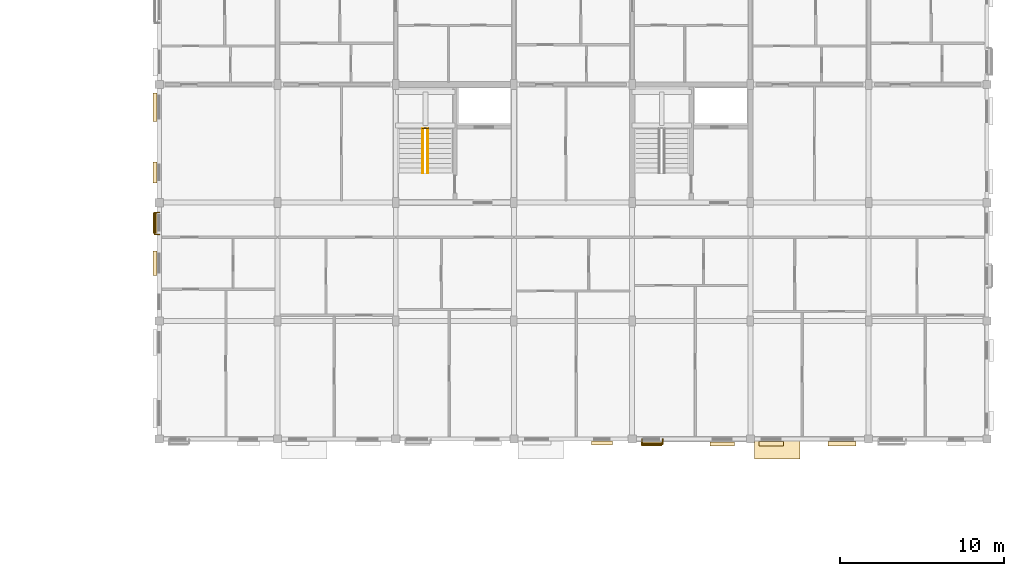
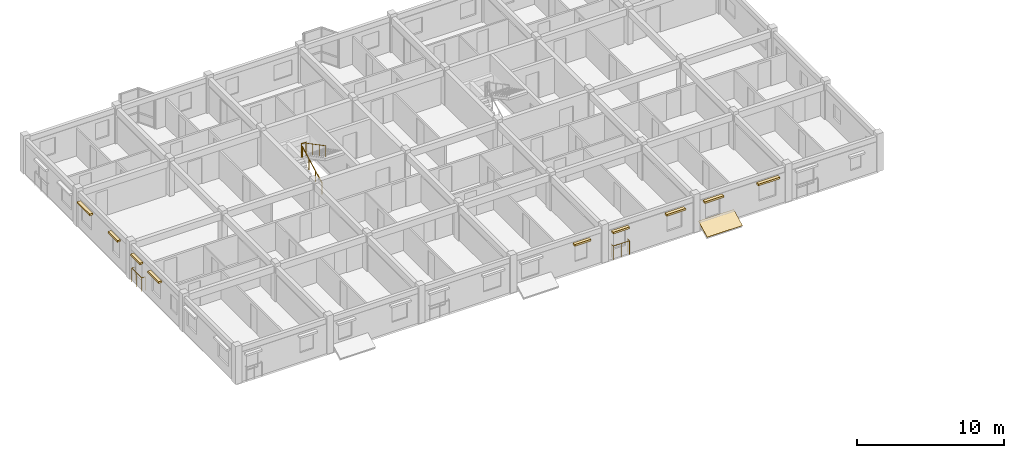
# One storey, part 36 of 38: 10 coverings, 5 railings.
"""IFC4 building model written with IfcOpenShell, lengths in metres."""

from ifc_helpers import new_model, si_unit, direction, frame, origin, origin_2d, place, context, subcontext, project, spatial, polyline, rectangle, circle, outline, extrude, material, layer, layer_set, type_object, element, save


model = new_model("IFC4")

# Units and contexts
model_context = context("Model", 3, precision=1e-05, world=origin(), true_north=direction((0.0, 1.0)))
body_context = subcontext(model_context, "Body", "Model", "MODEL_VIEW")
ifc_project = project(units=[si_unit("LENGTHUNIT", "METRE"), si_unit("AREAUNIT", "SQUARE_METRE"), si_unit("VOLUMEUNIT", "CUBIC_METRE"), si_unit("PLANEANGLEUNIT", "RADIAN"), si_unit("MASSUNIT", "GRAM", prefix="KILO"), si_unit("THERMODYNAMICTEMPERATUREUNIT", "KELVIN"), si_unit("POWERUNIT", "WATT")], contexts=[model_context])

# Site, building, storey
site_placement = place(None, origin())
site = spatial("IfcSite", under=ifc_project, at=site_placement, CompositionType="ELEMENT")
building_placement = place(site_placement, origin())
building = spatial("IfcBuilding", under=site, at=building_placement, Name="Tavuni Mirador Residences", CompositionType="ELEMENT")
storey_placement = place(building_placement, frame((0.0, 0.0, 32.85009765625)))
storey = spatial("IfcBuildingStorey", under=building, at=storey_placement, Name="L10", CompositionType="ELEMENT", Elevation=32.85009765625)

# Coverings
ifc_material_1 = material(Name="Natural coral limestone", Category="masonry")
ifc_layer_1 = layer(ifc_material_1, 0.054931640625, Name="Natural coral limestone", Category="masonry")
ifc_layer_set_1 = layer_set([ifc_layer_1], Name="Natural coral limestone")
covering_type_1 = type_object("IfcCoveringType", Name="CVT-CLAD-CORAL", PredefinedType="CLADDING", material=ifc_layer_set_1)
for number, where, z_axis, x_axis, name in (
    (1, (37.77001953125, 143.755615234375, 2.244873046875), (0.0, 0.0, 1.0), (1.0, 0.0, 0.0), "HOOD-0763"),
    (2, (40.77001953125, 143.712890625, 2.244873046875), (0.0, 0.0, 1.0), (1.0, 0.0, 0.0), "HOOD-0764"),
):
    element("IfcCovering", number, at=place(storey_placement, frame(where, z_axis=z_axis, x_axis=x_axis)), inside=storey, type_object=covering_type_1, Name=name, PredefinedType="CLADDING", context=body_context, shape_type="SweptSolid", body=[
        extrude(rectangle(XDim=1.280029296875, YDim=0.25, at=origin_2d()), origin(), (0.0, 0.0, 1.0), 0.14990234375),
    ])
for number, where, z_axis, x_axis, name in (
    (3, (45.074951171875, 143.712890625, 2.244873046875), (0.0, 0.0, 1.0), (1.0, 0.0, 0.0), "HOOD-0765"),
    (4, (48.074951171875, 143.720458984375, 2.244873046875), (0.0, 0.0, 1.0), (1.0, 0.0, 0.0), "HOOD-0766"),
):
    element("IfcCovering", number, at=place(storey_placement, frame(where, z_axis=z_axis, x_axis=x_axis)), inside=storey, type_object=covering_type_1, Name=name, PredefinedType="CLADDING", context=body_context, shape_type="SweptSolid", body=[
        extrude(rectangle(XDim=1.489990234375, YDim=0.25, at=origin_2d()), origin(), (0.0, 0.0, 1.0), 0.14990234375),
    ])
covering_1_placement = place(storey_placement, frame((52.375, 143.720458984375, 2.244873046875), z_axis=(0.0, 0.0, 1.0), x_axis=(1.0, 0.0, 0.0)))
element("IfcCovering", 5, at=covering_1_placement, inside=storey, type_object=covering_type_1, Name="HOOD-0767", PredefinedType="CLADDING", context=body_context, shape_type="SweptSolid", body=[
    extrude(rectangle(XDim=1.68994140625, YDim=0.25, at=origin_2d()), origin(), (0.0, 0.0, 1.0), 0.14990234375),
])
covering_2_placement = place(storey_placement, frame((10.550537109375, 164.2099609375, 2.1650390625), z_axis=(0.0, 0.0, 1.0), x_axis=(0.0, -1.0, 0.0)))
element("IfcCovering", 6, at=covering_2_placement, inside=storey, type_object=covering_type_1, Name="HOOD-0792", PredefinedType="CLADDING", context=body_context, shape_type="SweptSolid", body=[
    extrude(rectangle(XDim=1.719970703125, YDim=0.25, at=origin_2d()), origin(), (0.0, 0.0, 1.0), 0.14990234375),
])
for number, where, z_axis, x_axis, name in (
    (7, (10.550537109375, 160.22998046875, 2.244873046875), (0.0, 0.0, 1.0), (0.0, -1.0, 0.0), "HOOD-0793"),
    (8, (10.54052734375, 157.155029296875, 2.244873046875), (0.0, 0.0, 1.0), (0.0, -1.0, 0.0), "HOOD-0794"),
):
    element("IfcCovering", number, at=place(storey_placement, frame(where, z_axis=z_axis, x_axis=x_axis)), inside=storey, type_object=covering_type_1, Name=name, PredefinedType="CLADDING", context=body_context, shape_type="SweptSolid", body=[
        extrude(rectangle(XDim=1.280029296875, YDim=0.25, at=origin_2d()), origin(), (0.0, 0.0, 1.0), 0.14990234375),
    ])
covering_3_placement = place(storey_placement, frame((10.54052734375, 154.7099609375, 2.244873046875), z_axis=(0.0, 0.0, 1.0), x_axis=(0.0, -1.0, 0.0)))
element("IfcCovering", 9, at=covering_3_placement, inside=storey, type_object=covering_type_1, Name="HOOD-0795", PredefinedType="CLADDING", context=body_context, shape_type="SweptSolid", body=[
    extrude(rectangle(XDim=1.489990234375, YDim=0.25, at=origin_2d()), origin(), (0.0, 0.0, 1.0), 0.14990234375),
])
ifc_material_2 = material(Name="Glazed ceramic roof tile", Category="masonry")
ifc_layer_2 = layer(ifc_material_2, 0.044921875, Name="Glazed ceramic roof tile", Category="masonry")
ifc_layer_set_2 = layer_set([ifc_layer_2], Name="Glazed ceramic roof tile")
covering_type_2 = type_object("IfcCoveringType", Name="CVT-ROOF-TILE", PredefinedType="ROOFING", material=ifc_layer_set_2)
covering_4_placement = place(storey_placement, frame((47.050048828125, 144.0, 0.664794921875), z_axis=(0.0, -0.458960601939, 0.888456620138), x_axis=(1.0, 0.0, 0.0)))
element("IfcCovering", 10, at=covering_4_placement, inside=storey, type_object=covering_type_2, Name="COV-RF-MIR-C-S3", PredefinedType="ROOFING", context=body_context, shape_type="SweptSolid", body=[
    extrude(outline(polyline([(0.0, 0.0), (2.77001953125, 0.0), (2.77001953125, -1.3506018692147148), (0.0, -1.3506018692147148), (0.0, 0.0)])), origin(), (0.0, 0.0, -1.0), 0.044921875),
])

# Railings
ifc_material_3 = material(Name="Structural steel S355", Category="steel")
railing_type_1 = type_object("IfcRailingType", Name="RT-BL1150", PredefinedType="BALUSTRADE", material=ifc_material_3)
railing_1_placement = place(storey_placement, frame((40.199951171875, 144.0, 0.039794921875)))
element("IfcRailing", 11, at=railing_1_placement, inside=storey, type_object=railing_type_1, Name="BALC-BLK-C-L10-S04", PredefinedType="BALUSTRADE", context=body_context, shape_type="SweptSolid", body=[
    extrude(circle(Radius=0.02392578125, at=origin_2d()), frame((0.0, 0.0, 1.1259765625), z_axis=(0.0, -1.0, 0.0), x_axis=(1.0, 0.0, 0.0)), (0.0, 0.0, 1.0), 0.304931640625),
    extrude(circle(Radius=0.02392578125, at=origin_2d()), frame((0.0, -0.304931640625, 1.1259765625), z_axis=(1.0, 0.0, 0.0), x_axis=(0.0, 1.0, 0.0)), (0.0, 0.0, 1.0), 1.260009765625),
    extrude(circle(Radius=0.02392578125, at=origin_2d()), frame((1.260009765625, -0.304931640625, 1.1259765625), z_axis=(0.0, 1.0, 0.0), x_axis=(-1.0, 0.0, 0.0)), (0.0, 0.0, 1.0), 0.304931640625),
    extrude(circle(Radius=0.02099609375, at=origin_2d()), origin(), (0.0, 0.0, 1.0), 1.101806640625),
    extrude(circle(Radius=0.02099609375, at=origin_2d()), frame((0.0, -0.304931640625, 0.0)), (0.0, 0.0, 1.0), 1.101806640625),
    extrude(circle(Radius=0.02099609375, at=origin_2d()), frame((0.6298828125, -0.304931640625, 0.0)), (0.0, 0.0, 1.0), 1.101806640625),
    extrude(circle(Radius=0.02099609375, at=origin_2d()), frame((1.260009765625, -0.304931640625, 0.0)), (0.0, 0.0, 1.0), 1.101806640625),
    extrude(circle(Radius=0.02099609375, at=origin_2d()), frame((1.260009765625, 0.0, 0.0)), (0.0, 0.0, 1.0), 1.101806640625),
])
railing_2_placement = place(storey_placement, frame((10.800048828125, 157.800048828125, 0.039794921875)))
element("IfcRailing", 12, at=railing_2_placement, inside=storey, type_object=railing_type_1, Name="BALC-BLK-C-L10-W01", PredefinedType="BALUSTRADE", context=body_context, shape_type="SweptSolid", body=[
    extrude(circle(Radius=0.02392578125, at=origin_2d()), frame((0.0, 0.0, 1.1259765625), z_axis=(-1.0, 0.0, 0.0), x_axis=(0.0, -1.0, 0.0)), (0.0, 0.0, 1.0), 0.277587890625),
    extrude(circle(Radius=0.02392578125, at=origin_2d()), frame((-0.277587890625, 0.0, 1.1259765625), z_axis=(0.0, -1.0, 0.0), x_axis=(1.0, 0.0, 0.0)), (0.0, 0.0, 1.0), 1.3349609375),
    extrude(circle(Radius=0.02392578125, at=origin_2d()), frame((-0.277587890625, -1.3349609375, 1.1259765625), z_axis=(1.0, 0.0, 0.0), x_axis=(0.0, 1.0, 0.0)), (0.0, 0.0, 1.0), 0.277587890625),
    extrude(circle(Radius=0.02099609375, at=origin_2d()), origin(), (0.0, 0.0, 1.0), 1.101806640625),
    extrude(circle(Radius=0.02099609375, at=origin_2d()), frame((-0.277587890625, 0.0, 0.0)), (0.0, 0.0, 1.0), 1.101806640625),
    extrude(circle(Radius=0.02099609375, at=origin_2d()), frame((-0.277587890625, -0.66748046875, 0.0)), (0.0, 0.0, 1.0), 1.101806640625),
    extrude(circle(Radius=0.02099609375, at=origin_2d()), frame((-0.277587890625, -1.3349609375, 0.0)), (0.0, 0.0, 1.0), 1.101806640625),
    extrude(circle(Radius=0.02099609375, at=origin_2d()), frame((0.0, -1.3349609375, 0.0)), (0.0, 0.0, 1.0), 1.101806640625),
])
railing_type_2 = type_object("IfcRailingType", Name="RT-GR1120", PredefinedType="GUARDRAIL", material=ifc_material_3)
railing_3_placement = place(storey_placement, frame((26.820068359375, 162.93994140625, 1.574951171875)))
element("IfcRailing", 13, at=railing_3_placement, inside=storey, type_object=railing_type_2, Name="GRD-HL-ST5-L10", PredefinedType="GUARDRAIL", context=body_context, shape_type="SweptSolid", body=[
    extrude(circle(Radius=0.02392578125, at=origin_2d()), frame((0.0, 0.0, 1.09619140625), z_axis=(1.0, 0.0, 0.0), x_axis=(0.0, 1.0, 0.0)), (0.0, 0.0, 1.0), 0.35986328125),
    extrude(circle(Radius=0.02099609375, at=origin_2d()), origin(), (0.0, 0.0, 1.0), 1.072021484375),
    extrude(circle(Radius=0.02099609375, at=origin_2d()), frame((0.35986328125, 0.0, 0.0)), (0.0, 0.0, 1.0), 1.072021484375),
])
railing_type_3 = type_object("IfcRailingType", Name="RT-HR920", PredefinedType="HANDRAIL", material=ifc_material_3)
railing_4_placement = place(storey_placement, frame((26.85009765625, 160.199951171875, 0.157470703125)))
element("IfcRailing", 14, at=railing_4_placement, inside=storey, type_object=railing_type_3, Name="HR-ST5-L10-F1", PredefinedType="HANDRAIL", context=body_context, shape_type="SweptSolid", body=[
    extrude(circle(Radius=0.02392578125, at=origin_2d()), frame((0.0, 0.0, 0.89599609375), z_axis=(0.0, 0.885397079081, 0.464835468048), x_axis=(-1.0, 0.0, 0.0)), (0.0, 0.0, 1.0), 3.04931640625),
    extrude(circle(Radius=0.02099609375, at=origin_2d()), origin(), (0.0, 0.0, 1.0), 0.871826171875),
    extrude(circle(Radius=0.02099609375, at=origin_2d()), frame((0.0, 0.89990234375, 0.472412109375)), (0.0, 0.0, 1.0), 0.871826171875),
    extrude(circle(Radius=0.02099609375, at=origin_2d()), frame((0.0, 1.800048828125, 0.945068359375)), (0.0, 0.0, 1.0), 0.871826171875),
    extrude(circle(Radius=0.02099609375, at=origin_2d()), frame((0.0, 2.699951171875, 1.41748046875)), (0.0, 0.0, 1.0), 0.871826171875),
])
railing_5_placement = place(storey_placement, frame((27.14990234375, 162.89990234375, 1.732421875)))
element("IfcRailing", 15, at=railing_5_placement, inside=storey, type_object=railing_type_3, Name="HR-ST5-L10-F2", PredefinedType="HANDRAIL", context=body_context, shape_type="SweptSolid", body=[
    extrude(circle(Radius=0.02392578125, at=origin_2d()), frame((0.0, 0.0, 0.89599609375), z_axis=(0.0, -0.885397079081, 0.464835468048), x_axis=(1.0, 0.0, 0.0)), (0.0, 0.0, 1.0), 3.04931640625),
    extrude(circle(Radius=0.02099609375, at=origin_2d()), origin(), (0.0, 0.0, 1.0), 0.871826171875),
    extrude(circle(Radius=0.02099609375, at=origin_2d()), frame((0.0, -0.89990234375, 0.472412109375)), (0.0, 0.0, 1.0), 0.871826171875),
    extrude(circle(Radius=0.02099609375, at=origin_2d()), frame((0.0, -1.800048828125, 0.945068359375)), (0.0, 0.0, 1.0), 0.871826171875),
    extrude(circle(Radius=0.02099609375, at=origin_2d()), frame((0.0, -2.699951171875, 1.41748046875)), (0.0, 0.0, 1.0), 0.871826171875),
])

save(model, "model.ifc")
